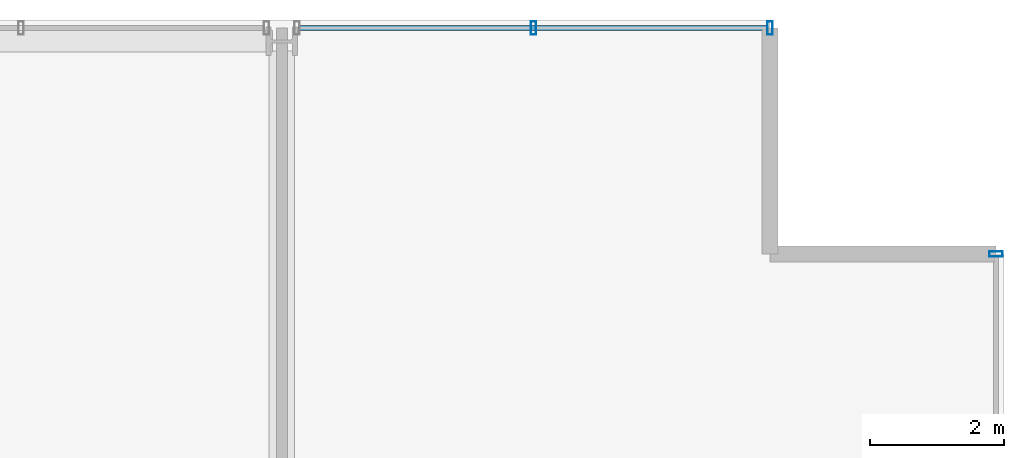
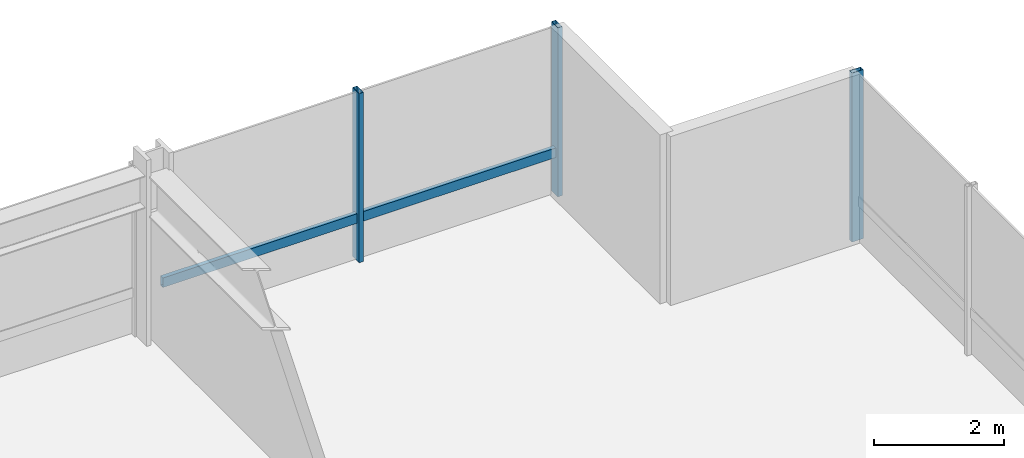
# One storey, part 28 of 37: 4 members, 2 elements without a shape of their own.
"""IFC4 building model written with IfcOpenShell, lengths in metres."""

from ifc_helpers import new_model, si_unit, direction, frame, origin, origin_2d, place, context, subcontext, project, spatial, hollow_rectangle, extrude, material, layer, layer_set, material_profile, profile_set, type_object, element, aggregate, save


model = new_model("IFC4")

# Units and contexts
model_context = context("Model", 3, precision=1e-05, world=origin(), true_north=direction((0.0, 1.0)))
body_context = subcontext(model_context, "Body", "Model", "MODEL_VIEW")
ifc_project = project(units=[si_unit("LENGTHUNIT", "METRE"), si_unit("AREAUNIT", "SQUARE_METRE"), si_unit("VOLUMEUNIT", "CUBIC_METRE"), si_unit("PLANEANGLEUNIT", "RADIAN"), si_unit("MASSUNIT", "GRAM", prefix="KILO")], contexts=[model_context])

# Site, building, storey
site_placement = place(None, origin())
site = spatial("IfcSite", under=ifc_project, at=site_placement, CompositionType="ELEMENT")
building_placement = place(site_placement, origin())
building = spatial("IfcBuilding", under=site, at=building_placement, Name="Drelvath Grand Hotel", CompositionType="ELEMENT")
storey_placement = place(building_placement, frame((0.0, 0.0, 78.699951171875)))
storey = spatial("IfcBuildingStorey", under=building, at=storey_placement, Name="L19", CompositionType="ELEMENT", Elevation=78.699951171875)

# Curtain wall, member
ifc_material = material(Name="Warm Bronze Anodised Aluminium Frame", Category="aluminium")
ifc_layer = layer(ifc_material, 0.199951171875)
ifc_layer_set = layer_set([ifc_layer], Name="Warm Bronze Anodised Aluminium Frame")
curtain_wall_type = type_object("IfcCurtainWallType", Name="Stick Curtain Wall CW-02 Warm Bronze Low-Rise", PredefinedType="NOTDEFINED", material=ifc_layer_set)
curtain_wall_1_placement = place(storey_placement, origin())
curtain_wall_1 = element("IfcCurtainWall", 1, at=curtain_wall_1_placement, inside=storey, type_object=curtain_wall_type, Name="L19 CW-02 Curtain Wall CW02-L19-NE3", PredefinedType="NOTDEFINED")
ifc_material_profile_1 = material_profile(ifc_material, hollow_rectangle(XDim=0.074951171875, YDim=0.179931640625, WallThickness=0.0048828125, at=origin_2d()), Name="HSS180X75X5")
ifc_profile_set_1 = profile_set([ifc_material_profile_1], Name="Warm Bronze Anodised Aluminium Frame")
member_type_1 = type_object("IfcMemberType", Name="Curtain Wall Horizontal Transom CW-02 HSS180X75X5", PredefinedType="USERDEFINED", material=ifc_profile_set_1)
member_1_placement = place(storey_placement, frame((16.468994140625, 53.8798828125, 0.795166015625), z_axis=(1.0, 0.0, 0.0), x_axis=(0.0, 1.0, 0.0)))
member_1 = element("IfcMember", 2, at=member_1_placement, type_object=member_type_1, Name="CW02-L19-NE3 Sill Transom", ObjectType="TRANSOM", PredefinedType="USERDEFINED", context=body_context, shape_type="SweptSolid", body=[
    extrude(hollow_rectangle(XDim=0.074951171875, YDim=0.179931640625, WallThickness=0.0048828125, at=origin_2d()), origin(), (0.0, 0.0, 1.0), 6.990966796875),
])

curtain_wall_2_placement = place(storey_placement, origin())
curtain_wall_2 = element("IfcCurtainWall", 3, at=curtain_wall_2_placement, inside=storey, type_object=curtain_wall_type, Name="L19 CW-02 Curtain Wall CW02-L19-EN3", PredefinedType="NOTDEFINED")
ifc_material_profile_2 = material_profile(ifc_material, hollow_rectangle(XDim=0.080078125, YDim=0.199951171875, WallThickness=0.0048828125, at=origin_2d()), Name="HSS200X80X5")
ifc_profile_set_2 = profile_set([ifc_material_profile_2], Name="Warm Bronze Anodised Aluminium Frame")
member_type_2 = type_object("IfcMemberType", Name="Curtain Wall Vertical Mullion CW-02 HSS200X80X5", PredefinedType="MULLION", material=ifc_profile_set_2)
member_2_placement = place(storey_placement, frame((26.8798828125, 50.5, 0.0), z_axis=(0.0, 0.0, 1.0), x_axis=(0.0, 1.0, 0.0)))
member_2 = element("IfcMember", 4, at=member_2_placement, type_object=member_type_2, Name="CW02-L19-EN3 Mullion 1", PredefinedType="MULLION", context=body_context, shape_type="SweptSolid", body=[
    extrude(hollow_rectangle(XDim=0.080078125, YDim=0.199951171875, WallThickness=0.0048828125, at=origin_2d()), origin(), (0.0, 0.0, 1.0), 3.179931640625),
])
aggregate(curtain_wall_2, [member_2])

# Member
member_3_placement = place(storey_placement, frame((19.964599609375, 53.8798828125, 0.0), z_axis=(0.0, 0.0, 1.0), x_axis=(1.0, 0.0, 0.0)))
member_3 = element("IfcMember", 5, at=member_3_placement, type_object=member_type_2, Name="CW02-L19-NE3 Mullion 2", PredefinedType="MULLION", context=body_context, shape_type="SweptSolid", body=[
    extrude(hollow_rectangle(XDim=0.080078125, YDim=0.199951171875, WallThickness=0.0048828125, at=origin_2d()), origin(), (0.0, 0.0, 1.0), 3.179931640625),
])

member_4_placement = place(storey_placement, frame((23.5, 53.8798828125, 0.0), z_axis=(0.0, 0.0, 1.0), x_axis=(1.0, 0.0, 0.0)))
member_4 = element("IfcMember", 6, at=member_4_placement, type_object=member_type_2, Name="CW02-L19-NE3 Mullion 3", PredefinedType="MULLION", context=body_context, shape_type="SweptSolid", body=[
    extrude(hollow_rectangle(XDim=0.080078125, YDim=0.199951171875, WallThickness=0.0048828125, at=origin_2d()), origin(), (0.0, 0.0, 1.0), 3.179931640625),
])

aggregate(curtain_wall_1, [member_3, member_4, member_1])

save(model, "model.ifc")
